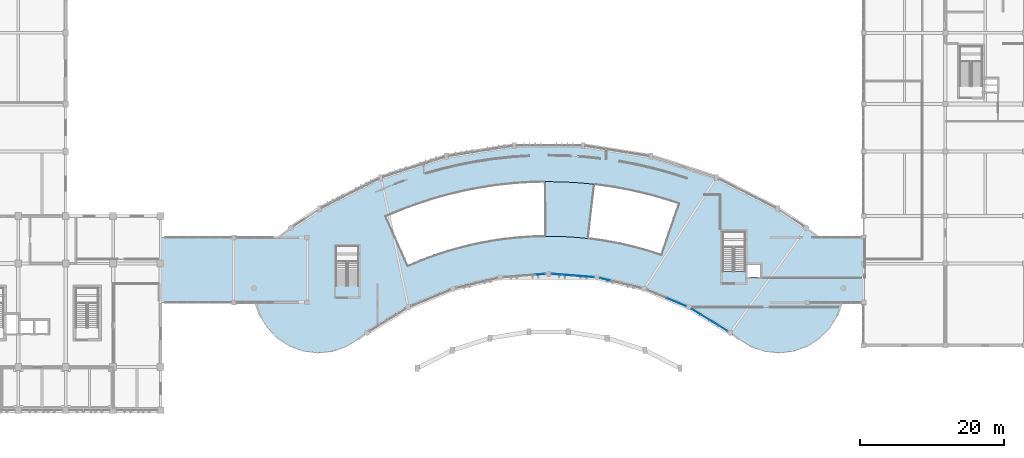
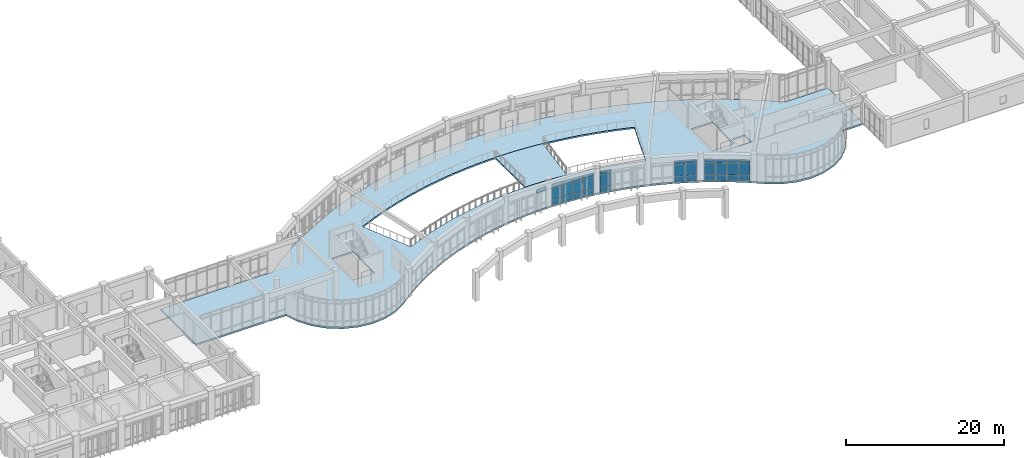
# One storey, part 35 of 57: 34 plates, 2 slabs, 7 elements without a shape of their own.
"""IFC4 building model written with IfcOpenShell, lengths in metres."""

from ifc_helpers import new_model, si_unit, direction, frame, origin, origin_2d, place, context, subcontext, project, spatial, polyline, rectangle, outline, extrude, material, layer, layer_set, type_object, element, aggregate, save


model = new_model("IFC4")

# Units and contexts
model_context = context("Model", 3, precision=1e-05, world=origin(), true_north=direction((0.0, 1.0)))
body_context = subcontext(model_context, "Body", "Model", "MODEL_VIEW")
ifc_project = project(units=[si_unit("LENGTHUNIT", "METRE"), si_unit("AREAUNIT", "SQUARE_METRE"), si_unit("VOLUMEUNIT", "CUBIC_METRE"), si_unit("PLANEANGLEUNIT", "RADIAN"), si_unit("MASSUNIT", "GRAM", prefix="KILO")], contexts=[model_context])

# Site, building, storey
site_placement = place(None, origin())
site = spatial("IfcSite", under=ifc_project, at=site_placement, CompositionType="ELEMENT")
building_placement = place(site_placement, origin())
building = spatial("IfcBuilding", under=site, at=building_placement, Name="Miralva Faculty of Natural Sciences", CompositionType="ELEMENT")
storey_placement = place(building_placement, frame((0.0, 0.0, 15.0)))
storey = spatial("IfcBuildingStorey", under=building, at=storey_placement, Name="L03", CompositionType="ELEMENT", Elevation=15.0)

# Curtain wall, plate
ifc_material_1 = material(Name="Laminated solar-control glass", Category="glass")
ifc_layer_1 = layer(ifc_material_1, 0.179931640625, Name="CW-ARC-L03")
ifc_layer_set_1 = layer_set([ifc_layer_1], Name="Laminated solar-control glass")
curtain_wall_type = type_object("IfcCurtainWallType", Name="CW-ARC-L03", PredefinedType="USERDEFINED", material=ifc_layer_set_1)
curtain_wall_1_placement = place(storey_placement, origin())
curtain_wall_1 = element("IfcCurtainWall", 1, at=curtain_wall_1_placement, inside=storey, type_object=curtain_wall_type, Name="Curtain wall CW-03 L03-116", ObjectType="UNITISED CURTAIN WALL", PredefinedType="USERDEFINED")
ifc_layer_2 = layer(ifc_material_1, 0.028076171875, Name="PNL-P01")
ifc_layer_set_2 = layer_set([ifc_layer_2], Name="Laminated solar-control glass")
plate_type = type_object("IfcPlateType", Name="PNL-P01", PredefinedType="CURTAIN_PANEL", material=ifc_layer_set_2)
plate_1_placement = place(storey_placement, frame((88.853759765625, 21.909912109375, 2.8076171875), z_axis=(0.0, 0.0, 1.0), x_axis=(0.996916948192, 0.078463994344, 0.0)))
plate_1 = element("IfcPlate", 2, at=plate_1_placement, type_object=plate_type, Name="CW-03 panel 2.3", PredefinedType="CURTAIN_PANEL", context=body_context, shape_type="SweptSolid", body=[
    extrude(rectangle(XDim=1.3994140625, YDim=0.028076171875, at=origin_2d()), origin(), (0.0, 0.0, 1.0), 0.50244140625),
])
aggregate(curtain_wall_1, [plate_1])

# Curtain wall, plates
curtain_wall_2_placement = place(storey_placement, origin())
curtain_wall_2 = element("IfcCurtainWall", 3, at=curtain_wall_2_placement, inside=storey, type_object=curtain_wall_type, Name="Curtain wall CW-03 L03-117", ObjectType="UNITISED CURTAIN WALL", PredefinedType="USERDEFINED")
plate_2_placement = place(storey_placement, frame((91.144775390625, 21.909912109375, 0.06494140625), z_axis=(0.0, 0.0, 1.0), x_axis=(0.99691711744, -0.078461843942, 0.0)))
plate_2 = element("IfcPlate", 4, at=plate_2_placement, type_object=plate_type, Name="CW-03 panel 1.1", PredefinedType="CURTAIN_PANEL", context=body_context, shape_type="SweptSolid", body=[
    extrude(rectangle(XDim=1.39697265625, YDim=0.028076171875, at=origin_2d()), origin(), (0.0, 0.0, 1.0), 0.802490234375),
])
plate_3_placement = place(storey_placement, frame((91.144775390625, 21.909912109375, 0.932373046875), z_axis=(0.0, 0.0, 1.0), x_axis=(0.99691711744, -0.078461843942, 0.0)))
plate_3 = element("IfcPlate", 5, at=plate_3_placement, type_object=plate_type, Name="CW-03 panel 1.2", PredefinedType="CURTAIN_PANEL", context=body_context, shape_type="SweptSolid", body=[
    extrude(rectangle(XDim=1.39697265625, YDim=0.028076171875, at=origin_2d()), origin(), (0.0, 0.0, 1.0), 1.81005859375),
])
plate_4_placement = place(storey_placement, frame((91.144775390625, 21.909912109375, 2.8076171875), z_axis=(0.0, 0.0, 1.0), x_axis=(0.99691711744, -0.078461843942, 0.0)))
plate_4 = element("IfcPlate", 6, at=plate_4_placement, type_object=plate_type, Name="CW-03 panel 1.3", PredefinedType="CURTAIN_PANEL", context=body_context, shape_type="SweptSolid", body=[
    extrude(rectangle(XDim=1.39697265625, YDim=0.028076171875, at=origin_2d()), origin(), (0.0, 0.0, 1.0), 0.50244140625),
])
plate_5_placement = place(storey_placement, frame((92.602294921875, 21.795166015625, 0.06494140625), z_axis=(0.0, 0.0, 1.0), x_axis=(0.99691711744, -0.078461843942, 0.0)))
plate_5 = element("IfcPlate", 7, at=plate_5_placement, type_object=plate_type, Name="CW-03 panel 2.1", PredefinedType="CURTAIN_PANEL", context=body_context, shape_type="SweptSolid", body=[
    extrude(rectangle(XDim=1.39697265625, YDim=0.028076171875, at=origin_2d()), origin(), (0.0, 0.0, 1.0), 0.802490234375),
])
plate_6_placement = place(storey_placement, frame((92.602294921875, 21.795166015625, 0.932373046875), z_axis=(0.0, 0.0, 1.0), x_axis=(0.99691711744, -0.078461843942, 0.0)))
plate_6 = element("IfcPlate", 8, at=plate_6_placement, type_object=plate_type, Name="CW-03 panel 2.2", PredefinedType="CURTAIN_PANEL", context=body_context, shape_type="SweptSolid", body=[
    extrude(rectangle(XDim=1.39697265625, YDim=0.028076171875, at=origin_2d()), origin(), (0.0, 0.0, 1.0), 1.81005859375),
])
plate_7_placement = place(storey_placement, frame((92.602294921875, 21.795166015625, 2.8076171875), z_axis=(0.0, 0.0, 1.0), x_axis=(0.99691711744, -0.078461843942, 0.0)))
plate_7 = element("IfcPlate", 9, at=plate_7_placement, type_object=plate_type, Name="CW-03 panel 2.3", PredefinedType="CURTAIN_PANEL", context=body_context, shape_type="SweptSolid", body=[
    extrude(rectangle(XDim=1.39697265625, YDim=0.028076171875, at=origin_2d()), origin(), (0.0, 0.0, 1.0), 0.50244140625),
])
aggregate(curtain_wall_2, [plate_2, plate_3, plate_4, plate_5, plate_6, plate_7])

curtain_wall_3_placement = place(storey_placement, origin())
curtain_wall_3 = element("IfcCurtainWall", 10, at=curtain_wall_3_placement, inside=storey, type_object=curtain_wall_type, Name="Curtain wall CW-03 L03-118", ObjectType="UNITISED CURTAIN WALL", PredefinedType="USERDEFINED")
plate_8_placement = place(storey_placement, frame((94.12060546875, 21.67578125, 0.06494140625), z_axis=(0.0, 0.0, 1.0), x_axis=(0.996917153831, -0.078461381568, 0.0)))
plate_8 = element("IfcPlate", 11, at=plate_8_placement, type_object=plate_type, Name="CW-03 panel 1.1", PredefinedType="CURTAIN_PANEL", context=body_context, shape_type="SweptSolid", body=[
    extrude(rectangle(XDim=1.3994140625, YDim=0.028076171875, at=origin_2d()), origin(), (0.0, 0.0, 1.0), 0.802490234375),
])
plate_9_placement = place(storey_placement, frame((94.12060546875, 21.67578125, 0.932373046875), z_axis=(0.0, 0.0, 1.0), x_axis=(0.996917153831, -0.078461381568, 0.0)))
plate_9 = element("IfcPlate", 12, at=plate_9_placement, type_object=plate_type, Name="CW-03 panel 1.2", PredefinedType="CURTAIN_PANEL", context=body_context, shape_type="SweptSolid", body=[
    extrude(rectangle(XDim=1.3994140625, YDim=0.028076171875, at=origin_2d()), origin(), (0.0, 0.0, 1.0), 1.81005859375),
])
plate_10_placement = place(storey_placement, frame((94.12060546875, 21.67578125, 2.8076171875), z_axis=(0.0, 0.0, 1.0), x_axis=(0.996917153831, -0.078461381568, 0.0)))
plate_10 = element("IfcPlate", 13, at=plate_10_placement, type_object=plate_type, Name="CW-03 panel 1.3", PredefinedType="CURTAIN_PANEL", context=body_context, shape_type="SweptSolid", body=[
    extrude(rectangle(XDim=1.3994140625, YDim=0.028076171875, at=origin_2d()), origin(), (0.0, 0.0, 1.0), 0.50244140625),
])
plate_11_placement = place(storey_placement, frame((95.58056640625, 21.560791015625, 0.06494140625), z_axis=(0.0, 0.0, 1.0), x_axis=(0.996917153831, -0.078461381568, 0.0)))
plate_11 = element("IfcPlate", 14, at=plate_11_placement, type_object=plate_type, Name="CW-03 panel 2.1", PredefinedType="CURTAIN_PANEL", context=body_context, shape_type="SweptSolid", body=[
    extrude(rectangle(XDim=1.3994140625, YDim=0.028076171875, at=origin_2d()), origin(), (0.0, 0.0, 1.0), 0.802490234375),
])
plate_12_placement = place(storey_placement, frame((95.58056640625, 21.560791015625, 0.932373046875), z_axis=(0.0, 0.0, 1.0), x_axis=(0.996917153831, -0.078461381568, 0.0)))
plate_12 = element("IfcPlate", 15, at=plate_12_placement, type_object=plate_type, Name="CW-03 panel 2.2", PredefinedType="CURTAIN_PANEL", context=body_context, shape_type="SweptSolid", body=[
    extrude(rectangle(XDim=1.3994140625, YDim=0.028076171875, at=origin_2d()), origin(), (0.0, 0.0, 1.0), 1.81005859375),
])
plate_13_placement = place(storey_placement, frame((95.58056640625, 21.560791015625, 2.8076171875), z_axis=(0.0, 0.0, 1.0), x_axis=(0.996917153831, -0.078461381568, 0.0)))
plate_13 = element("IfcPlate", 16, at=plate_13_placement, type_object=plate_type, Name="CW-03 panel 2.3", PredefinedType="CURTAIN_PANEL", context=body_context, shape_type="SweptSolid", body=[
    extrude(rectangle(XDim=1.3994140625, YDim=0.028076171875, at=origin_2d()), origin(), (0.0, 0.0, 1.0), 0.50244140625),
])
aggregate(curtain_wall_3, [plate_8, plate_9, plate_10, plate_11, plate_12, plate_13])

curtain_wall_4_placement = place(storey_placement, origin())
curtain_wall_4 = element("IfcCurtainWall", 17, at=curtain_wall_4_placement, inside=storey, type_object=curtain_wall_type, Name="Curtain wall CW-03 L03-119", ObjectType="UNITISED CURTAIN WALL", PredefinedType="USERDEFINED")
plate_14_placement = place(storey_placement, frame((97.8505859375, 21.20068359375, 0.06494140625), z_axis=(0.0, 0.0, 1.0), x_axis=(0.972367185898, -0.233456753574, 0.0)))
plate_14 = element("IfcPlate", 18, at=plate_14_placement, type_object=plate_type, Name="CW-03 panel 1.1", PredefinedType="CURTAIN_PANEL", context=body_context, shape_type="SweptSolid", body=[
    extrude(rectangle(XDim=1.391845703125, YDim=0.028076171875, at=origin_2d()), origin(), (0.0, 0.0, 1.0), 0.802490234375),
])
plate_15_placement = place(storey_placement, frame((97.8505859375, 21.20068359375, 0.9326171875), z_axis=(0.0, 0.0, 1.0), x_axis=(0.972367185898, -0.233456753574, 0.0)))
plate_15 = element("IfcPlate", 19, at=plate_15_placement, type_object=plate_type, Name="CW-03 panel 1.2", PredefinedType="CURTAIN_PANEL", context=body_context, shape_type="SweptSolid", body=[
    extrude(rectangle(XDim=1.391845703125, YDim=0.028076171875, at=origin_2d()), origin(), (0.0, 0.0, 1.0), 1.840087890625),
])
plate_16_placement = place(storey_placement, frame((97.8505859375, 21.20068359375, 2.837646484375), z_axis=(0.0, 0.0, 1.0), x_axis=(0.972367185898, -0.233456753574, 0.0)))
plate_16 = element("IfcPlate", 20, at=plate_16_placement, type_object=plate_type, Name="CW-03 panel 1.3", PredefinedType="CURTAIN_PANEL", context=body_context, shape_type="SweptSolid", body=[
    extrude(rectangle(XDim=1.391845703125, YDim=0.028076171875, at=origin_2d()), origin(), (0.0, 0.0, 1.0), 0.50244140625),
])
aggregate(curtain_wall_4, [plate_14, plate_15, plate_16])

curtain_wall_5_placement = place(storey_placement, origin())
curtain_wall_5 = element("IfcCurtainWall", 21, at=curtain_wall_5_placement, inside=storey, type_object=curtain_wall_type, Name="Curtain wall CW-03 L03-122", ObjectType="UNITISED CURTAIN WALL", PredefinedType="USERDEFINED")
plate_17_placement = place(storey_placement, frame((107.099609375, 18.316650390625, 0.06494140625), z_axis=(0.0, 0.0, 1.0), x_axis=(0.923874540591, -0.382695483705, 0.0)))
plate_17 = element("IfcPlate", 22, at=plate_17_placement, type_object=plate_type, Name="CW-03 panel 1.1", PredefinedType="CURTAIN_PANEL", context=body_context, shape_type="SweptSolid", body=[
    extrude(rectangle(XDim=1.38427734375, YDim=0.028076171875, at=origin_2d()), origin(), (0.0, 0.0, 1.0), 0.802490234375),
])
plate_18_placement = place(storey_placement, frame((107.099609375, 18.316650390625, 0.9326171875), z_axis=(0.0, 0.0, 1.0), x_axis=(0.923874540591, -0.382695483705, 0.0)))
plate_18 = element("IfcPlate", 23, at=plate_18_placement, type_object=plate_type, Name="CW-03 panel 1.2", PredefinedType="CURTAIN_PANEL", context=body_context, shape_type="SweptSolid", body=[
    extrude(rectangle(XDim=1.38427734375, YDim=0.028076171875, at=origin_2d()), origin(), (0.0, 0.0, 1.0), 1.840087890625),
])
plate_19_placement = place(storey_placement, frame((107.099609375, 18.316650390625, 2.837646484375), z_axis=(0.0, 0.0, 1.0), x_axis=(0.923874540591, -0.382695483705, 0.0)))
plate_19 = element("IfcPlate", 24, at=plate_19_placement, type_object=plate_type, Name="CW-03 panel 1.3", PredefinedType="CURTAIN_PANEL", context=body_context, shape_type="SweptSolid", body=[
    extrude(rectangle(XDim=1.38427734375, YDim=0.028076171875, at=origin_2d()), origin(), (0.0, 0.0, 1.0), 0.50244140625),
])
plate_20_placement = place(storey_placement, frame((108.438720703125, 17.761962890625, 0.06494140625), z_axis=(0.0, 0.0, 1.0), x_axis=(0.923874540591, -0.382695483705, 0.0)))
plate_20 = element("IfcPlate", 25, at=plate_20_placement, type_object=plate_type, Name="CW-03 panel 2.1", PredefinedType="CURTAIN_PANEL", context=body_context, shape_type="SweptSolid", body=[
    extrude(rectangle(XDim=1.38427734375, YDim=0.028076171875, at=origin_2d()), origin(), (0.0, 0.0, 1.0), 0.802490234375),
])
plate_21_placement = place(storey_placement, frame((108.438720703125, 17.761962890625, 0.9326171875), z_axis=(0.0, 0.0, 1.0), x_axis=(0.923874540591, -0.382695483705, 0.0)))
plate_21 = element("IfcPlate", 26, at=plate_21_placement, type_object=plate_type, Name="CW-03 panel 2.2", PredefinedType="CURTAIN_PANEL", context=body_context, shape_type="SweptSolid", body=[
    extrude(rectangle(XDim=1.38427734375, YDim=0.028076171875, at=origin_2d()), origin(), (0.0, 0.0, 1.0), 1.840087890625),
])
plate_22_placement = place(storey_placement, frame((108.438720703125, 17.761962890625, 2.837646484375), z_axis=(0.0, 0.0, 1.0), x_axis=(0.923874540591, -0.382695483705, 0.0)))
plate_22 = element("IfcPlate", 27, at=plate_22_placement, type_object=plate_type, Name="CW-03 panel 2.3", PredefinedType="CURTAIN_PANEL", context=body_context, shape_type="SweptSolid", body=[
    extrude(rectangle(XDim=1.38427734375, YDim=0.028076171875, at=origin_2d()), origin(), (0.0, 0.0, 1.0), 0.50244140625),
])
aggregate(curtain_wall_5, [plate_17, plate_18, plate_19, plate_20, plate_21, plate_22])

curtain_wall_6_placement = place(storey_placement, origin())
curtain_wall_6 = element("IfcCurtainWall", 28, at=curtain_wall_6_placement, inside=storey, type_object=curtain_wall_type, Name="Curtain wall CW-03 L03-123", ObjectType="UNITISED CURTAIN WALL", PredefinedType="USERDEFINED")
plate_23_placement = place(storey_placement, frame((110.5263671875, 16.697509765625, 0.06494140625), z_axis=(0.0, 0.0, 1.0), x_axis=(0.852649987617, -0.522482534269, 0.0)))
plate_23 = element("IfcPlate", 29, at=plate_23_placement, type_object=plate_type, Name="CW-03 panel 1.1", PredefinedType="CURTAIN_PANEL", context=body_context, shape_type="SweptSolid", body=[
    extrude(rectangle(XDim=1.376953125, YDim=0.028076171875, at=origin_2d()), origin(), (0.0, 0.0, 1.0), 0.802490234375),
])
plate_24_placement = place(storey_placement, frame((110.5263671875, 16.697509765625, 0.9326171875), z_axis=(0.0, 0.0, 1.0), x_axis=(0.852649987617, -0.522482534269, 0.0)))
plate_24 = element("IfcPlate", 30, at=plate_24_placement, type_object=plate_type, Name="CW-03 panel 1.2", PredefinedType="CURTAIN_PANEL", context=body_context, shape_type="SweptSolid", body=[
    extrude(rectangle(XDim=1.376953125, YDim=0.028076171875, at=origin_2d()), origin(), (0.0, 0.0, 1.0), 1.840087890625),
])
plate_25_placement = place(storey_placement, frame((110.5263671875, 16.697509765625, 2.837646484375), z_axis=(0.0, 0.0, 1.0), x_axis=(0.852649987617, -0.522482534269, 0.0)))
plate_25 = element("IfcPlate", 31, at=plate_25_placement, type_object=plate_type, Name="CW-03 panel 1.3", PredefinedType="CURTAIN_PANEL", context=body_context, shape_type="SweptSolid", body=[
    extrude(rectangle(XDim=1.376953125, YDim=0.028076171875, at=origin_2d()), origin(), (0.0, 0.0, 1.0), 0.50244140625),
])
plate_26_placement = place(storey_placement, frame((111.755859375, 15.944091796875, 0.06494140625), z_axis=(0.0, 0.0, 1.0), x_axis=(0.852649987617, -0.522482534269, 0.0)))
plate_26 = element("IfcPlate", 32, at=plate_26_placement, type_object=plate_type, Name="CW-03 panel 2.1", PredefinedType="CURTAIN_PANEL", context=body_context, shape_type="SweptSolid", body=[
    extrude(rectangle(XDim=1.376953125, YDim=0.028076171875, at=origin_2d()), origin(), (0.0, 0.0, 1.0), 0.802490234375),
])
plate_27_placement = place(storey_placement, frame((111.755859375, 15.944091796875, 0.9326171875), z_axis=(0.0, 0.0, 1.0), x_axis=(0.852649987617, -0.522482534269, 0.0)))
plate_27 = element("IfcPlate", 33, at=plate_27_placement, type_object=plate_type, Name="CW-03 panel 2.2", PredefinedType="CURTAIN_PANEL", context=body_context, shape_type="SweptSolid", body=[
    extrude(rectangle(XDim=1.376953125, YDim=0.028076171875, at=origin_2d()), origin(), (0.0, 0.0, 1.0), 1.840087890625),
])
plate_28_placement = place(storey_placement, frame((111.755859375, 15.944091796875, 2.837646484375), z_axis=(0.0, 0.0, 1.0), x_axis=(0.852649987617, -0.522482534269, 0.0)))
plate_28 = element("IfcPlate", 34, at=plate_28_placement, type_object=plate_type, Name="CW-03 panel 2.3", PredefinedType="CURTAIN_PANEL", context=body_context, shape_type="SweptSolid", body=[
    extrude(rectangle(XDim=1.376953125, YDim=0.028076171875, at=origin_2d()), origin(), (0.0, 0.0, 1.0), 0.50244140625),
])
aggregate(curtain_wall_6, [plate_23, plate_24, plate_25, plate_26, plate_27, plate_28])

curtain_wall_7_placement = place(storey_placement, origin())
curtain_wall_7 = element("IfcCurtainWall", 35, at=curtain_wall_7_placement, inside=storey, type_object=curtain_wall_type, Name="Curtain wall CW-03 L03-124", ObjectType="UNITISED CURTAIN WALL", PredefinedType="USERDEFINED")
plate_29_placement = place(storey_placement, frame((113.037353515625, 15.15869140625, 0.06494140625), z_axis=(0.0, 0.0, 1.0), x_axis=(0.852646014098, -0.522489018681, 0.0)))
plate_29 = element("IfcPlate", 36, at=plate_29_placement, type_object=plate_type, Name="CW-03 panel 1.1", PredefinedType="CURTAIN_PANEL", context=body_context, shape_type="SweptSolid", body=[
    extrude(rectangle(XDim=1.37939453125, YDim=0.028076171875, at=origin_2d()), origin(), (0.0, 0.0, 1.0), 0.802490234375),
])
plate_30_placement = place(storey_placement, frame((113.037353515625, 15.15869140625, 0.9326171875), z_axis=(0.0, 0.0, 1.0), x_axis=(0.852646014098, -0.522489018681, 0.0)))
plate_30 = element("IfcPlate", 37, at=plate_30_placement, type_object=plate_type, Name="CW-03 panel 1.2", PredefinedType="CURTAIN_PANEL", context=body_context, shape_type="SweptSolid", body=[
    extrude(rectangle(XDim=1.37939453125, YDim=0.028076171875, at=origin_2d()), origin(), (0.0, 0.0, 1.0), 1.840087890625),
])
plate_31_placement = place(storey_placement, frame((113.037353515625, 15.15869140625, 2.837646484375), z_axis=(0.0, 0.0, 1.0), x_axis=(0.852646014098, -0.522489018681, 0.0)))
plate_31 = element("IfcPlate", 38, at=plate_31_placement, type_object=plate_type, Name="CW-03 panel 1.3", PredefinedType="CURTAIN_PANEL", context=body_context, shape_type="SweptSolid", body=[
    extrude(rectangle(XDim=1.37939453125, YDim=0.028076171875, at=origin_2d()), origin(), (0.0, 0.0, 1.0), 0.50244140625),
])
plate_32_placement = place(storey_placement, frame((114.268798828125, 14.404052734375, 0.06494140625), z_axis=(0.0, 0.0, 1.0), x_axis=(0.852646014098, -0.522489018681, 0.0)))
plate_32 = element("IfcPlate", 39, at=plate_32_placement, type_object=plate_type, Name="CW-03 panel 2.1", PredefinedType="CURTAIN_PANEL", context=body_context, shape_type="SweptSolid", body=[
    extrude(rectangle(XDim=1.37939453125, YDim=0.028076171875, at=origin_2d()), origin(), (0.0, 0.0, 1.0), 0.802490234375),
])
plate_33_placement = place(storey_placement, frame((114.268798828125, 14.404052734375, 0.9326171875), z_axis=(0.0, 0.0, 1.0), x_axis=(0.852646014098, -0.522489018681, 0.0)))
plate_33 = element("IfcPlate", 40, at=plate_33_placement, type_object=plate_type, Name="CW-03 panel 2.2", PredefinedType="CURTAIN_PANEL", context=body_context, shape_type="SweptSolid", body=[
    extrude(rectangle(XDim=1.37939453125, YDim=0.028076171875, at=origin_2d()), origin(), (0.0, 0.0, 1.0), 1.840087890625),
])
plate_34_placement = place(storey_placement, frame((114.268798828125, 14.404052734375, 2.837646484375), z_axis=(0.0, 0.0, 1.0), x_axis=(0.852646014098, -0.522489018681, 0.0)))
plate_34 = element("IfcPlate", 41, at=plate_34_placement, type_object=plate_type, Name="CW-03 panel 2.3", PredefinedType="CURTAIN_PANEL", context=body_context, shape_type="SweptSolid", body=[
    extrude(rectangle(XDim=1.37939453125, YDim=0.028076171875, at=origin_2d()), origin(), (0.0, 0.0, 1.0), 0.50244140625),
])
aggregate(curtain_wall_7, [plate_29, plate_30, plate_31, plate_32, plate_33, plate_34])

# Slabs
ifc_material_2 = material(Name="Concrete C40/50", Category="concrete")
ifc_layer_3 = layer(ifc_material_2, 0.239990234375, Name="SL-FL03")
ifc_layer_set_3 = layer_set([ifc_layer_3], Name="Concrete C40/50")
slab_type_1 = type_object("IfcSlabType", Name="SL-FL03", PredefinedType="FLOOR", material=ifc_layer_set_3)
slab_1_placement = place(storey_placement, frame((0.0, 0.0, -0.239990234375)))
element("IfcSlab", 42, at=slab_1_placement, inside=storey, type_object=slab_type_1, Name="V3 L03 floor slab", PredefinedType="FLOOR", context=body_context, shape_type="SweptSolid", body=[
    extrude(outline(polyline([(36.0, 27.0), (52.37451171875, 27.0), (52.444580078125, 27.068603515625), (54.34814453125, 28.496826171875), (56.3056640625, 29.849609375), (58.314697265625, 31.125244140625), (60.371826171875, 32.3212890625), (62.47412109375, 33.436279296875), (64.618408203125, 34.468505859375), (66.801025390625, 35.41650390625), (69.01904296875, 36.2783203125), (71.26904296875, 37.052978515625), (73.547607421875, 37.739501953125), (75.851318359375, 38.33642578125), (78.17626953125, 38.843017578125), (80.519287109375, 39.2587890625), (82.876953125, 39.582763671875), (85.2451171875, 39.814453125), (87.620849609375, 39.95361328125), (90.0, 40.0), (92.379150390625, 39.95361328125), (94.7548828125, 39.814453125), (97.123046875, 39.582763671875), (99.480712890625, 39.2587890625), (101.82373046875, 38.843017578125), (104.148681640625, 38.33642578125), (106.452392578125, 37.739501953125), (108.73095703125, 37.052978515625), (110.98095703125, 36.2783203125), (113.198974609375, 35.41650390625), (115.381591796875, 34.468505859375), (117.52587890625, 33.436279296875), (119.628173828125, 32.3212890625), (121.685302734375, 31.125244140625), (123.6943359375, 29.849609375), (125.65185546875, 28.496826171875), (127.555419921875, 27.068603515625), (127.62548828125, 27.0), (133.800048828125, 27.0), (133.800048828125, 18.0), (130.78759765625, 18.0), (130.808349609375, 18.0615234375), (130.16162109375, 16.152587890625), (129.1064453125, 14.435546875), (127.69580078125, 12.996337890625), (126.0, 11.9072265625), (124.1044921875, 11.22265625), (122.104248046875, 10.97705078125), (120.099365234375, 11.1826171875), (118.1904296875, 11.829345703125), (116.473388671875, 12.884521484375), (115.131591796875, 13.89111328125), (113.751708984375, 14.844970703125), (112.33544921875, 15.743896484375), (110.885498046875, 16.587158203125), (109.403564453125, 17.373291015625), (107.89208984375, 18.100830078125), (106.353515625, 18.768798828125), (104.789794921875, 19.37646484375), (103.20361328125, 19.922607421875), (101.59765625, 20.406494140625), (99.9736328125, 20.827392578125), (98.334716796875, 21.1845703125), (96.68310546875, 21.4775390625), (95.021240234375, 21.705810546875), (93.351806640625, 21.869140625), (91.677001953125, 21.96728515625), (90.0, 22.0), (88.322998046875, 21.96728515625), (86.648193359375, 21.869140625), (84.978759765625, 21.705810546875), (83.31689453125, 21.4775390625), (81.665283203125, 21.1845703125), (80.0263671875, 20.827392578125), (78.40234375, 20.406494140625), (76.79638671875, 19.922607421875), (75.210205078125, 19.37646484375), (73.646484375, 18.768798828125), (72.10791015625, 18.100830078125), (70.596435546875, 17.373291015625), (69.114501953125, 16.587158203125), (67.66455078125, 15.743896484375), (66.248291015625, 14.844970703125), (64.868408203125, 13.89111328125), (63.526611328125, 12.884521484375), (61.8095703125, 11.829345703125), (59.900634765625, 11.1826171875), (57.895751953125, 10.97705078125), (55.8955078125, 11.22265625), (54.0, 11.9072265625), (52.30419921875, 12.996337890625), (50.8935546875, 14.435546875), (49.83837890625, 16.152587890625), (49.21240234375, 18.0), (36.0, 18.0), (36.0, 27.0)]), holes=[polyline([(117.324951171875, 22.324951171875), (114.22509765625, 22.324951171875), (114.22509765625, 27.824951171875), (117.324951171875, 27.824951171875), (117.324951171875, 22.324951171875)]), polyline([(119.449951171875, 21.52490234375), (117.64990234375, 21.52490234375), (117.64990234375, 23.27490234375), (119.449951171875, 23.27490234375), (119.449951171875, 21.52490234375)]), polyline([(63.52490234375, 20.324951171875), (60.425048828125, 20.324951171875), (60.425048828125, 25.824951171875), (63.52490234375, 25.824951171875), (63.52490234375, 20.324951171875)]), polyline([(70.395263671875, 23.032958984375), (67.30419921875, 29.975830078125), (69.448486328125, 30.87744140625), (71.62890625, 31.689208984375), (73.841064453125, 32.408935546875), (76.081298828125, 33.0361328125), (78.345703125, 33.5693359375), (80.63037109375, 34.0078125), (82.931396484375, 34.3505859375), (85.244384765625, 34.596923828125), (87.56591796875, 34.746826171875), (89.891845703125, 34.7998046875), (92.2177734375, 34.755859375), (94.539794921875, 34.614990234375), (96.85400390625, 34.37744140625), (99.15625, 34.043701171875), (101.442626953125, 33.6142578125), (103.708984375, 33.089599609375), (105.951904296875, 32.47119140625), (108.166748046875, 31.760009765625), (105.6923828125, 24.573974609375), (103.779052734375, 25.1884765625), (101.841796875, 25.72265625), (99.88427734375, 26.17578125), (97.9091796875, 26.546630859375), (95.92041015625, 26.8349609375), (93.92138671875, 27.040283203125), (91.915771484375, 27.161865234375), (89.906494140625, 27.199951171875), (87.8974609375, 27.154052734375), (85.89208984375, 27.024658203125), (83.89404296875, 26.811767578125), (81.906494140625, 26.515625), (79.932861328125, 26.136962890625), (77.976806640625, 25.676513671875), (76.041748046875, 25.134765625), (74.131103515625, 24.5126953125), (72.247802734375, 23.811767578125), (70.395263671875, 23.032958984375)])]), origin(), (0.0, 0.0, 1.0), 0.239990234375),
])
ifc_layer_4 = layer(ifc_material_2, 0.199951171875, Name="SL-FL05")
ifc_layer_set_4 = layer_set([ifc_layer_4], Name="Concrete C40/50")
slab_type_2 = type_object("IfcSlabType", Name="SL-FL05", PredefinedType="FLOOR", material=ifc_layer_set_4)
slab_2_placement = place(storey_placement, frame((0.0, 0.0, -0.199951171875)))
element("IfcSlab", 43, at=slab_2_placement, inside=storey, type_object=slab_type_2, Name="Atrium Curved White Gallery Bridge L03", PredefinedType="FLOOR", context=body_context, shape_type="SweptSolid", body=[
    extrude(outline(polyline([(89.51318359375, 34.791259765625), (89.891845703125, 34.7998046875), (92.2177734375, 34.755859375), (94.539794921875, 34.614990234375), (96.31591796875, 34.4326171875), (95.45556640625, 26.8828125), (93.92138671875, 27.040283203125), (91.915771484375, 27.161865234375), (89.906494140625, 27.199951171875), (89.579345703125, 27.1923828125), (89.51318359375, 34.791259765625)])), origin(), (0.0, 0.0, 1.0), 0.199951171875),
])

save(model, "model.ifc")
